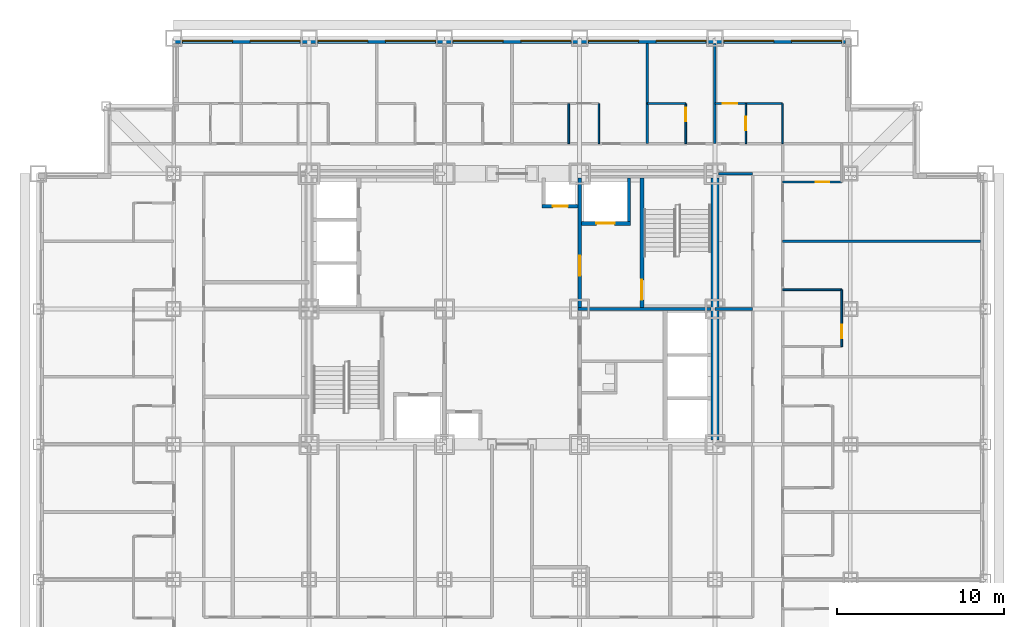
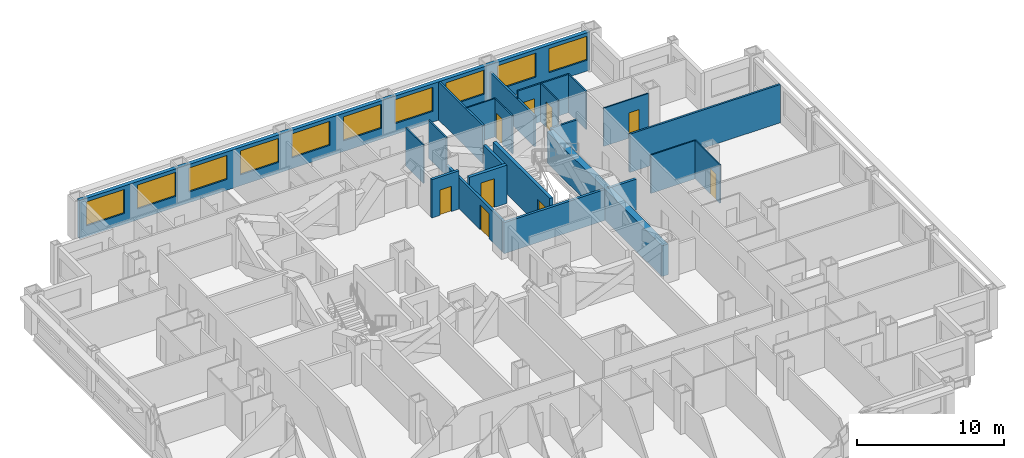
# One storey, part 10 of 13: 23 walls, 10 windows, 9 doors, 19 openings.
"""IFC4 building model written with IfcOpenShell, lengths in metres."""

import ifcopenshell
import ifcopenshell.guid

model = None  # the IFC model being written
_history = None  # IfcOwnerHistory: only IFC2X3 demands one
_inside = {}  # id of a spatial element -> (the spatial element, [elements in it])
_under = {}  # id of a project, library or spatial element -> (it, [spatial elements below it])
_declared = {}  # id of a project -> (the project, [libraries it declares])
_typed = {}  # id of a type object -> (the type object, [elements of that type])
_made_of = {}  # id of a material, layer set ... -> (it, [elements and type objects made of it])


def new_model(schema):
    """Start an empty IFC model of exactly this schema.

    Asked for "IFC4X3", IfcOpenShell would pick the latest addendum, in which some entities
    have other attributes; the version numbers below select the first issue.
    IFC2X3 requires an IfcOwnerHistory on every rooted entity: one is made here for all.
    """
    global model, _history
    if schema == "IFC4X3":
        model = ifcopenshell.file(schema_version=(4, 3, 0, 0))
    else:
        model = ifcopenshell.file(schema=schema)
    _inside.clear()
    _under.clear()
    _declared.clear()
    _typed.clear()
    _made_of.clear()
    _history = None
    if model.schema == "IFC2X3":
        org = make("IfcOrganization", Name="unknown")
        user = make(
            "IfcPersonAndOrganization",
            ThePerson=make("IfcPerson", FamilyName="unknown"),
            TheOrganization=org,
        )
        app = make(
            "IfcApplication",
            ApplicationDeveloper=org,
            Version="unknown",
            ApplicationFullName="unknown",
            ApplicationIdentifier="unknown",
        )
        _history = make(
            "IfcOwnerHistory",
            OwningUser=user,
            OwningApplication=app,
            ChangeAction="ADDED",
            CreationDate=0,
        )
    return model


def make(cls, **values):
    """One entity of the class cls with the attributes given. An attribute that is None is left unset."""
    return model.create_entity(
        cls, **{name: value for name, value in values.items() if value is not None}
    )


def rooted(cls, **values):
    """An entity with a GlobalId (a new one), such as an element, a storey or a relation."""
    return make(cls, GlobalId=ifcopenshell.guid.new(), OwnerHistory=_history, **values)


def si_unit(unit_type, name, prefix=None):
    """IfcSIUnit, for example si_unit("LENGTHUNIT", "METRE", prefix="MILLI")."""
    return make("IfcSIUnit", UnitType=unit_type, Prefix=prefix, Name=name)


def assignment(units):
    """IfcUnitAssignment: the units of a project."""
    return None if units is None else make("IfcUnitAssignment", Units=units)


def point(xyz):
    """IfcCartesianPoint."""
    return None if xyz is None else make("IfcCartesianPoint", Coordinates=xyz)


def direction(xyz):
    """IfcDirection."""
    return None if xyz is None else make("IfcDirection", DirectionRatios=xyz)


def frame(location, z_axis=None, x_axis=None):
    """IfcAxis2Placement3D, a coordinate frame: its origin and axes. An axis left out is left unset."""
    return make(
        "IfcAxis2Placement3D",
        Location=point(location),
        Axis=direction(z_axis),
        RefDirection=direction(x_axis),
    )


def frame_2d(location, x_axis=None):
    """IfcAxis2Placement2D, a coordinate frame in the plane: its origin and x axis."""
    return make(
        "IfcAxis2Placement2D", Location=point(location), RefDirection=direction(x_axis)
    )


def origin():
    """The frame at (0, 0, 0) with its axes left unset."""
    return frame((0.0, 0.0, 0.0))


def place(relative_to, where):
    """IfcLocalPlacement: puts the frame where relative to a parent placement (None: the world)."""
    return make(
        "IfcLocalPlacement", PlacementRelTo=relative_to, RelativePlacement=where
    )


def context(
    kind, dimensions, precision=None, world=None, true_north=None, identifier=None
):
    """IfcGeometricRepresentationContext, for example the 3D "Model" context."""
    return make(
        "IfcGeometricRepresentationContext",
        ContextIdentifier=identifier,
        ContextType=kind,
        CoordinateSpaceDimension=dimensions,
        Precision=precision,
        WorldCoordinateSystem=world,
        TrueNorth=true_north,
    )


def subcontext(parent, identifier, kind, view, scale=None):
    """IfcGeometricRepresentationSubContext, for example "Body" below "Model"."""
    return make(
        "IfcGeometricRepresentationSubContext",
        ContextIdentifier=identifier,
        ContextType=kind,
        ParentContext=parent,
        TargetScale=scale,
        TargetView=view,
    )


def project(units=None, contexts=None):
    """IfcProject with its units and contexts."""
    return rooted(
        "IfcProject",
        Name="project",
        RepresentationContexts=contexts,
        UnitsInContext=assignment(units),
    )


def spatial(cls, under=None, at=None, **own):
    """A site, building, storey or space (cls), placed at a placement, below another one or the project."""
    s = rooted(cls, ObjectPlacement=at, **own)
    if under is not None:
        _under.setdefault(under.id(), (under, []))[1].append(s)
    return s


def profile(cls, at=None, kind="AREA", **sizes):
    """A parametric profile (cls). Its sizes go by their IFC names, for example OverallWidth=200.0."""
    return make(cls, ProfileType=kind, Position=at, **sizes)


def rectangle(**sizes):
    """IfcRectangleProfileDef."""
    return profile("IfcRectangleProfileDef", **sizes)


def extrude(swept, where, along, depth):
    """IfcExtrudedAreaSolid: the profile swept, set in the frame where, extruded along a direction by depth."""
    return make(
        "IfcExtrudedAreaSolid",
        SweptArea=swept,
        Position=where,
        ExtrudedDirection=direction(along),
        Depth=depth,
    )


def shape(context_of_items, identifier, shape_type, items):
    """IfcShapeRepresentation: the items that make up one representation, for example the "Body"."""
    return make(
        "IfcShapeRepresentation",
        ContextOfItems=context_of_items,
        RepresentationIdentifier=identifier,
        RepresentationType=shape_type,
        Items=items,
    )


def material(Name=None, Category=None):
    """IfcMaterial."""
    return make("IfcMaterial", Name=Name, Category=Category)


def layer(
    of_material, thickness, ventilated=None, Name=None, Category=None, Priority=None
):
    """IfcMaterialLayer: one layer of a wall or slab, of a material (None: an air gap)."""
    return make(
        "IfcMaterialLayer",
        Material=of_material,
        LayerThickness=thickness,
        IsVentilated=ventilated,
        Name=Name,
        Category=Category,
        Priority=Priority,
    )


def layer_set(layers, Name=None):
    """IfcMaterialLayerSet."""
    return make("IfcMaterialLayerSet", MaterialLayers=layers, LayerSetName=Name)


def made_of(thing, what):
    """Note that an element or type object is made of a material, layer set ...; save() writes the relation."""
    if what is not None:
        _made_of.setdefault(what.id(), (what, []))[1].append(thing)
    return thing


def type_object(cls, material=None, **own):
    """A type object (cls), such as IfcWallType, which elements share."""
    return made_of(rooted(cls, **own), material)


def element(
    cls,
    number,
    at=None,
    inside=None,
    cuts=None,
    type_object=None,
    material=None,
    context=None,
    identifier="Body",
    shape_type=None,
    held_by="IfcProductDefinitionShape",
    body=None,
    shapes=None,
    **own,
):
    """One element of the class cls, such as IfcWall. Its Tag is "e" and its number.

    at: its placement. inside: the storey or other place that contains it. cuts: it is an
    opening in that element (IfcRelVoidsElement). A single representation is given by context,
    identifier, shape_type and body (its items); several are given by shapes. held_by: the class
    of the entity that holds the representations. save() writes the other relations.
    """
    e = rooted(cls, Tag="e%d" % number, ObjectPlacement=at, **own)
    if body is not None:
        shapes = [shape(context, identifier, shape_type, body)]
    if shapes is not None:
        e.Representation = make(held_by, Representations=shapes)
    if inside is not None:
        _inside.setdefault(inside.id(), (inside, []))[1].append(e)
    if cuts is not None:
        rooted(
            "IfcRelVoidsElement", RelatingBuildingElement=cuts, RelatedOpeningElement=e
        )
    if type_object is not None:
        _typed.setdefault(type_object.id(), (type_object, []))[1].append(e)
    return made_of(e, material)


def fill(opening, filler):
    """IfcRelFillsElement: the door or window that sits in an opening."""
    return rooted(
        "IfcRelFillsElement",
        RelatingOpeningElement=opening,
        RelatedBuildingElement=filler,
    )


def aggregate(whole, parts):
    """IfcRelAggregates: a whole, such as a stair, and the parts it consists of."""
    return rooted("IfcRelAggregates", RelatingObject=whole, RelatedObjects=parts)


def save(model, path):
    """Write the relations noted so far, then the file.

    IfcRelAggregates (storeys below a building ...), IfcRelContainedInSpatialStructure (elements
    in a storey), IfcRelDefinesByType, IfcRelAssociatesMaterial and IfcRelDeclares: one each for
    every whole, place, type object, material and project.
    """
    for whole, parts in _under.values():
        aggregate(whole, parts)
    for where, things in _inside.values():
        rooted(
            "IfcRelContainedInSpatialStructure",
            RelatedElements=things,
            RelatingStructure=where,
        )
    for kind, things in _typed.values():
        rooted("IfcRelDefinesByType", RelatedObjects=things, RelatingType=kind)
    for what, things in _made_of.values():
        rooted("IfcRelAssociatesMaterial", RelatedObjects=things, RelatingMaterial=what)
    for by, libraries in _declared.values():
        rooted("IfcRelDeclares", RelatingContext=by, RelatedDefinitions=libraries)
    model.write(path)


model = new_model("IFC4")

# Units and contexts
model_context = context("Model", 3, precision=1e-05, world=origin(), true_north=direction((0.0, 1.0)))
body_context = subcontext(model_context, "Body", "Model", "MODEL_VIEW")
ifc_project = project(units=[si_unit("LENGTHUNIT", "METRE"), si_unit("AREAUNIT", "SQUARE_METRE"), si_unit("VOLUMEUNIT", "CUBIC_METRE"), si_unit("PLANEANGLEUNIT", "RADIAN"), si_unit("MASSUNIT", "GRAM", prefix="KILO")], contexts=[model_context])

# Site, building, storey
site_placement = place(None, origin())
site = spatial("IfcSite", under=ifc_project, at=site_placement, CompositionType="ELEMENT")
building_placement = place(site_placement, origin())
building = spatial("IfcBuilding", under=site, at=building_placement, Name="Kopane Lantern Tower", CompositionType="ELEMENT")
storey_placement = place(building_placement, frame((0.0, 0.0, 63.60009765625)))
storey = spatial("IfcBuildingStorey", under=building, at=storey_placement, Name="L15", CompositionType="ELEMENT", Elevation=63.60009765625)

# Wall, opening, door
ifc_material_1 = material(Name="Gypsum board on steel studs", Category="steel")
ifc_layer_1 = layer(ifc_material_1, 0.1201171875)
ifc_layer_set_1 = layer_set([ifc_layer_1], Name="APARTMENT INTERNAL WALL 120")
wall_type_1 = type_object("IfcWallType", Name="APARTMENT INTERNAL WALL 120", PredefinedType="PARTITIONING", material=ifc_layer_set_1)
wall_1_placement = place(storey_placement, frame((40.5, 44.699951171875, 0.0), z_axis=(0.0, 0.0, 1.0), x_axis=(1.0, 0.0, 0.0)))
wall_1 = element("IfcWall", 1, at=wall_1_placement, inside=storey, type_object=wall_type_1, Name="Apartment Internal Wall 120 L15", PredefinedType="PARTITIONING", context=body_context, shape_type="SweptSolid", body=[
    extrude(rectangle(XDim=4.050048828125, YDim=0.1201171875, at=frame_2d((2.02490234375, 0.0))), origin(), (0.0, 0.0, 1.0), 3.18994140625),
])
opening_1_placement = place(wall_1_placement, frame((0.47509765625, 0.0, 0.0)))
opening_1 = element("IfcOpeningElement", 2, at=opening_1_placement, cuts=wall_1, Name="Opening L15-079", PredefinedType="OPENING", context=body_context, shape_type="SweptSolid", body=[
    extrude(rectangle(XDim=0.85009765625, YDim=2.10009765625, at=frame_2d((0.425048828125, 1.050048828125))), frame((0.0, 0.070068359375, 0.0), z_axis=(0.0, -1.0, 0.0), x_axis=(1.0, 0.0, 0.0)), (0.0, 0.0, 1.0), 0.14013671875),
])
ifc_material_2 = material(Name="Timber door set", Category="wood")
door_type_1 = type_object("IfcDoorType", Name="DOOR D4 850x2100", OperationType="SINGLE_SWING_LEFT", PredefinedType="DOOR", material=ifc_material_2)
door_1_placement = place(opening_1_placement, origin())
door_1 = element("IfcDoor", 3, at=door_1_placement, inside=storey, type_object=door_type_1, Name="Door L15-079", OperationType="SINGLE_SWING_LEFT", OverallHeight=2.10009765625, OverallWidth=0.85009765625, PredefinedType="DOOR", context=body_context, shape_type="SweptSolid", body=[
    extrude(rectangle(XDim=0.85009765625, YDim=2.10009765625, at=frame_2d((0.425048828125, 1.050048828125))), frame((0.0, 0.02490234375, 0.0), z_axis=(0.0, -1.0, 0.0), x_axis=(1.0, 0.0, 0.0)), (0.0, 0.0, 1.0), 0.050048828125),
])
fill(opening_1, door_1)

# Walls
ifc_material_3 = material(Name="Moisture-resistant board on steel studs", Category="steel")
ifc_layer_2 = layer(ifc_material_3, 0.10009765625)
ifc_layer_set_2 = layer_set([ifc_layer_2], Name="BATHROOM WALL 100")
wall_type_2 = type_object("IfcWallType", Name="BATHROOM WALL 100", PredefinedType="PARTITIONING", material=ifc_layer_set_2)
for number, where, z_axis, x_axis, name in (
    (4, (31.75, 42.300048828125, 0.0), (0.0, 0.0, 1.0), (0.0, 1.0, 0.0), "Bathroom Wall 100 L15"),
    (5, (33.550048828125, 42.300048828125, 0.0), (0.0, 0.0, 1.0), (0.0, 1.0, 0.0), "Bathroom Wall 100 L15"),
):
    element("IfcWall", number, at=place(storey_placement, frame(where, z_axis=z_axis, x_axis=x_axis)), inside=storey, type_object=wall_type_2, Name=name, PredefinedType="PARTITIONING", context=body_context, shape_type="SweptSolid", body=[
        extrude(rectangle(XDim=2.39990234375, YDim=0.10009765625, at=frame_2d((1.199951171875, 0.0))), origin(), (0.0, 0.0, 1.0), 3.18994140625),
    ])
wall_2_placement = place(storey_placement, frame((36.449951171875, 44.699951171875, 0.0), z_axis=(0.0, 0.0, 1.0), x_axis=(1.0, 0.0, 0.0)))
element("IfcWall", 6, at=wall_2_placement, inside=storey, type_object=wall_type_2, Name="Bathroom Wall 100 L15", PredefinedType="PARTITIONING", context=body_context, shape_type="SweptSolid", body=[
    extrude(rectangle(XDim=2.300048828125, YDim=0.10009765625, at=frame_2d((1.14990234375, 0.0))), origin(), (0.0, 0.0, 1.0), 3.18994140625),
])

# Wall, opening, door
wall_3_placement = place(storey_placement, frame((38.75, 42.300048828125, 0.0), z_axis=(0.0, 0.0, 1.0), x_axis=(0.0, 1.0, 0.0)))
wall_3 = element("IfcWall", 7, at=wall_3_placement, inside=storey, type_object=wall_type_2, Name="Bathroom Wall 100 L15", PredefinedType="PARTITIONING", context=body_context, shape_type="SweptSolid", body=[
    extrude(rectangle(XDim=2.39990234375, YDim=0.10009765625, at=frame_2d((1.199951171875, 0.0))), origin(), (0.0, 0.0, 1.0), 3.18994140625),
])
opening_2_placement = place(wall_3_placement, frame((1.35009765625, 0.0, 0.0)))
opening_2 = element("IfcOpeningElement", 8, at=opening_2_placement, cuts=wall_3, Name="Opening L15-039", PredefinedType="OPENING", context=body_context, shape_type="SweptSolid", body=[
    extrude(rectangle(XDim=0.800048828125, YDim=2.10009765625, at=frame_2d((0.39990234375, 1.050048828125))), frame((0.0, 0.06005859375, 0.0), z_axis=(0.0, -1.0, 0.0), x_axis=(1.0, 0.0, 0.0)), (0.0, 0.0, 1.0), 0.1201171875),
])
ifc_material_4 = material(Name="Timber door set", Category="wood")
door_type_2 = type_object("IfcDoorType", Name="DOOR D2 800x2100", OperationType="SINGLE_SWING_LEFT", PredefinedType="DOOR", material=ifc_material_4)
door_2_placement = place(opening_2_placement, origin())
door_2 = element("IfcDoor", 9, at=door_2_placement, inside=storey, type_object=door_type_2, Name="Door L15-039", OperationType="SINGLE_SWING_RIGHT", OverallHeight=2.10009765625, OverallWidth=0.800048828125, PredefinedType="DOOR", context=body_context, shape_type="SweptSolid", body=[
    extrude(rectangle(XDim=0.800048828125, YDim=2.10009765625, at=frame_2d((0.39990234375, 1.050048828125))), frame((0.0, 0.02490234375, 0.0), z_axis=(0.0, -1.0, 0.0), x_axis=(1.0, 0.0, 0.0)), (0.0, 0.0, 1.0), 0.050048828125),
])
fill(opening_2, door_2)

wall_4_placement = place(storey_placement, frame((48.090087890625, 30.14990234375, 0.0), z_axis=(0.0, 0.0, 1.0), x_axis=(0.0, 1.0, 0.0)))
wall_4 = element("IfcWall", 10, at=wall_4_placement, inside=storey, type_object=wall_type_2, Name="Bathroom Wall 100 L15", PredefinedType="PARTITIONING", context=body_context, shape_type="SweptSolid", body=[
    extrude(rectangle(XDim=3.400146484375, YDim=0.10009765625, at=frame_2d((1.7001953125, 0.0))), origin(), (0.0, 0.0, 1.0), 3.18994140625),
])
opening_3_placement = place(wall_4_placement, frame((0.5, 0.0, 0.0)))
opening_3 = element("IfcOpeningElement", 11, at=opening_3_placement, cuts=wall_4, Name="Opening L15-062", PredefinedType="OPENING", context=body_context, shape_type="SweptSolid", body=[
    extrude(rectangle(XDim=0.800048828125, YDim=2.10009765625, at=frame_2d((0.39990234375, 1.050048828125))), frame((0.0, 0.06005859375, 0.0), z_axis=(0.0, -1.0, 0.0), x_axis=(1.0, 0.0, 0.0)), (0.0, 0.0, 1.0), 0.1201171875),
])
door_3_placement = place(opening_3_placement, origin())
door_3 = element("IfcDoor", 12, at=door_3_placement, inside=storey, type_object=door_type_2, Name="Door L15-062", OperationType="SINGLE_SWING_LEFT", OverallHeight=2.10009765625, OverallWidth=0.800048828125, PredefinedType="DOOR", context=body_context, shape_type="SweptSolid", body=[
    extrude(rectangle(XDim=0.800048828125, YDim=2.10009765625, at=frame_2d((0.39990234375, 1.050048828125))), frame((0.0, 0.02490234375, 0.0), z_axis=(0.0, -1.0, 0.0), x_axis=(1.0, 0.0, 0.0)), (0.0, 0.0, 1.0), 0.050048828125),
])
fill(opening_3, door_3)

# Wall
wall_5_placement = place(storey_placement, frame((44.550048828125, 33.550048828125, 0.0), z_axis=(0.0, 0.0, 1.0), x_axis=(1.0, 0.0, 0.0)))
element("IfcWall", 13, at=wall_5_placement, inside=storey, type_object=wall_type_2, Name="Bathroom Wall 100 L15", PredefinedType="PARTITIONING", context=body_context, shape_type="SweptSolid", body=[
    extrude(rectangle(XDim=3.5400390625, YDim=0.10009765625, at=frame_2d((1.77001953125, 0.0))), origin(), (0.0, 0.0, 1.0), 3.18994140625),
])

# Wall, opening, door
wall_6_placement = place(storey_placement, frame((44.550048828125, 40.0, 0.0), z_axis=(0.0, 0.0, 1.0), x_axis=(1.0, 0.0, 0.0)))
wall_6 = element("IfcWall", 14, at=wall_6_placement, inside=storey, type_object=wall_type_2, Name="Bathroom Wall 100 L15", PredefinedType="PARTITIONING", context=body_context, shape_type="SweptSolid", body=[
    extrude(rectangle(XDim=3.5400390625, YDim=0.10009765625, at=frame_2d((1.77001953125, 0.0))), origin(), (0.0, 0.0, 1.0), 3.18994140625),
])
opening_4_placement = place(wall_6_placement, frame((1.989990234375, 0.0, 0.0)))
opening_4 = element("IfcOpeningElement", 15, at=opening_4_placement, cuts=wall_6, Name="Opening L15-065", PredefinedType="OPENING", context=body_context, shape_type="SweptSolid", body=[
    extrude(rectangle(XDim=0.800048828125, YDim=2.10009765625, at=frame_2d((0.39990234375, 1.050048828125))), frame((0.0, 0.06005859375, 0.0), z_axis=(0.0, -1.0, 0.0), x_axis=(1.0, 0.0, 0.0)), (0.0, 0.0, 1.0), 0.1201171875),
])
door_4_placement = place(opening_4_placement, origin())
door_4 = element("IfcDoor", 16, at=door_4_placement, inside=storey, type_object=door_type_2, Name="Door L15-065", OperationType="SINGLE_SWING_RIGHT", OverallHeight=2.10009765625, OverallWidth=0.800048828125, PredefinedType="DOOR", context=body_context, shape_type="SweptSolid", body=[
    extrude(rectangle(XDim=0.800048828125, YDim=2.10009765625, at=frame_2d((0.39990234375, 1.050048828125))), frame((0.0, 0.02490234375, 0.0), z_axis=(0.0, -1.0, 0.0), x_axis=(1.0, 0.0, 0.0)), (0.0, 0.0, 1.0), 0.050048828125),
])
fill(opening_4, door_4)

wall_7_placement = place(storey_placement, frame((42.35009765625, 42.300048828125, 0.0), z_axis=(0.0, 0.0, 1.0), x_axis=(0.0, 1.0, 0.0)))
wall_7 = element("IfcWall", 17, at=wall_7_placement, inside=storey, type_object=wall_type_2, Name="Bathroom Wall 100 L15", PredefinedType="PARTITIONING", context=body_context, shape_type="SweptSolid", body=[
    extrude(rectangle(XDim=2.39990234375, YDim=0.10009765625, at=frame_2d((1.199951171875, 0.0))), origin(), (0.0, 0.0, 1.0), 3.18994140625),
])
opening_5_placement = place(wall_7_placement, frame((0.800048828125, 0.0, 0.0)))
opening_5 = element("IfcOpeningElement", 18, at=opening_5_placement, cuts=wall_7, Name="Opening L15-077", PredefinedType="OPENING", context=body_context, shape_type="SweptSolid", body=[
    extrude(rectangle(XDim=0.800048828125, YDim=2.10009765625, at=frame_2d((0.39990234375, 1.050048828125))), frame((0.0, 0.06005859375, 0.0), z_axis=(0.0, -1.0, 0.0), x_axis=(1.0, 0.0, 0.0)), (0.0, 0.0, 1.0), 0.1201171875),
])
door_5_placement = place(opening_5_placement, origin())
door_5 = element("IfcDoor", 19, at=door_5_placement, inside=storey, type_object=door_type_2, Name="Door L15-077", OperationType="SINGLE_SWING_RIGHT", OverallHeight=2.10009765625, OverallWidth=0.800048828125, PredefinedType="DOOR", context=body_context, shape_type="SweptSolid", body=[
    extrude(rectangle(XDim=0.800048828125, YDim=2.10009765625, at=frame_2d((0.39990234375, 1.050048828125))), frame((0.0, 0.02490234375, 0.0), z_axis=(0.0, -1.0, 0.0), x_axis=(1.0, 0.0, 0.0)), (0.0, 0.0, 1.0), 0.050048828125),
])
fill(opening_5, door_5)

# Walls
wall_8_placement = place(storey_placement, frame((44.550048828125, 42.300048828125, 0.0), z_axis=(0.0, 0.0, 1.0), x_axis=(0.0, 1.0, 0.0)))
element("IfcWall", 20, at=wall_8_placement, inside=storey, type_object=wall_type_2, Name="Bathroom Wall 100 L15", PredefinedType="PARTITIONING", context=body_context, shape_type="SweptSolid", body=[
    extrude(rectangle(XDim=2.39990234375, YDim=0.10009765625, at=frame_2d((1.199951171875, 0.0))), origin(), (0.0, 0.0, 1.0), 3.18994140625),
])
ifc_material_5 = material(Name="Gypsum shaft wall EI 120", Category="gypsum")
ifc_layer_3 = layer(ifc_material_5, 0.5)
ifc_layer_set_3 = layer_set([ifc_layer_3], Name="CORE PERIMETER WALL 500 EI 120")
wall_type_3 = type_object("IfcWallType", Name="CORE PERIMETER WALL 500 EI 120", PredefinedType="SOLIDWALL", material=ifc_layer_set_3)
wall_9_placement = place(storey_placement, frame((40.5, 24.550048828125, 0.0), z_axis=(0.0, 0.0, 1.0), x_axis=(0.0, 1.0, 0.0)))
element("IfcWall", 21, at=wall_9_placement, inside=storey, type_object=wall_type_3, Name="Core shaft wall L15 PE", PredefinedType="SOLIDWALL", context=body_context, shape_type="SweptSolid", body=[
    extrude(rectangle(XDim=15.699951171875, YDim=0.5, at=frame_2d((7.85009765625, 0.0))), origin(), (0.0, 0.0, 1.0), 2.57763671875),
])

# Wall, opening, door
ifc_material_6 = material(Name="Gypsum shaft wall EI 120", Category="gypsum")
ifc_layer_4 = layer(ifc_material_6, 0.25)
ifc_layer_set_4 = layer_set([ifc_layer_4], Name="CORE SHAFT WALL 250 EI 120")
wall_type_4 = type_object("IfcWallType", Name="CORE SHAFT WALL 250 EI 120", PredefinedType="SOLIDWALL", material=ifc_layer_set_4)
wall_10_placement = place(storey_placement, frame((36.125, 32.5, 0.0), z_axis=(0.0, 0.0, 1.0), x_axis=(0.0, 1.0, 0.0)))
wall_10 = element("IfcWall", 22, at=wall_10_placement, inside=storey, type_object=wall_type_4, Name="Core shaft wall L15 XST2", PredefinedType="SOLIDWALL", context=body_context, shape_type="SweptSolid", body=[
    extrude(rectangle(XDim=7.75, YDim=0.25, at=frame_2d((3.875, 0.0))), origin(), (0.0, 0.0, 1.0), 3.18994140625),
])
opening_6_placement = place(wall_10_placement, frame((0.449951171875, 0.0, 0.0)))
opening_6 = element("IfcOpeningElement", 23, at=opening_6_placement, cuts=wall_10, Name="Opening 15.SD2", PredefinedType="OPENING", context=body_context, shape_type="SweptSolid", body=[
    extrude(rectangle(XDim=1.199951171875, YDim=2.10009765625, at=frame_2d((0.60009765625, 1.050048828125))), frame((0.0, 0.135009765625, 0.0), z_axis=(0.0, -1.0, 0.0), x_axis=(1.0, 0.0, 0.0)), (0.0, 0.0, 1.0), 0.27001953125),
])
ifc_material_7 = material(Name="Steel door set", Category="steel")
door_type_3 = type_object("IfcDoorType", Name="STAIR DOOR 1200x2100 FD60S", OperationType="SINGLE_SWING_LEFT", PredefinedType="DOOR", material=ifc_material_7)
door_6_placement = place(opening_6_placement, origin())
door_6 = element("IfcDoor", 24, at=door_6_placement, inside=storey, type_object=door_type_3, Name="Stair door ST2 L15", OperationType="SINGLE_SWING_RIGHT", OverallHeight=2.10009765625, OverallWidth=1.199951171875, PredefinedType="DOOR", context=body_context, shape_type="SweptSolid", body=[
    extrude(rectangle(XDim=1.199951171875, YDim=2.10009765625, at=frame_2d((0.60009765625, 1.050048828125))), frame((0.0, 0.02490234375, 0.0), z_axis=(0.0, -1.0, 0.0), x_axis=(1.0, 0.0, 0.0)), (0.0, 0.0, 1.0), 0.050048828125),
])
fill(opening_6, door_6)

wall_11_placement = place(storey_placement, frame((32.5, 37.52490234375, 0.0), z_axis=(0.0, 0.0, 1.0), x_axis=(1.0, 0.0, 0.0)))
wall_11 = element("IfcWall", 25, at=wall_11_placement, inside=storey, type_object=wall_type_4, Name="Core shaft wall L15 YLF2", PredefinedType="SOLIDWALL", context=body_context, shape_type="SweptSolid", body=[
    extrude(rectangle(XDim=2.949951171875, YDim=0.25, at=frame_2d((1.47509765625, 0.0))), origin(), (0.0, 0.0, 1.0), 3.18994140625),
])
opening_7_placement = place(wall_11_placement, frame((0.89990234375, 0.0, 0.0)))
opening_7 = element("IfcOpeningElement", 26, at=opening_7_placement, cuts=wall_11, Name="Opening 15.LD-LF2", PredefinedType="OPENING", context=body_context, shape_type="SweptSolid", body=[
    extrude(rectangle(XDim=1.10009765625, YDim=2.39990234375, at=frame_2d((0.550048828125, 1.199951171875))), frame((0.0, 0.135009765625, 0.0), z_axis=(0.0, -1.0, 0.0), x_axis=(1.0, 0.0, 0.0)), (0.0, 0.0, 1.0), 0.27001953125),
])
ifc_material_8 = material(Name="Steel door set", Category="steel")
door_type_4 = type_object("IfcDoorType", Name="LIFT LANDING DOOR 1100x2400 FD60", OperationType="DOUBLE_DOOR_SLIDING", PredefinedType="DOOR", material=ifc_material_8)
door_7_placement = place(opening_7_placement, origin())
door_7 = element("IfcDoor", 27, at=door_7_placement, inside=storey, type_object=door_type_4, Name="Landing door LF2 L15", OperationType="DOUBLE_DOOR_SLIDING", OverallHeight=2.39990234375, OverallWidth=1.10009765625, PredefinedType="DOOR", context=body_context, shape_type="SweptSolid", body=[
    extrude(rectangle(XDim=1.10009765625, YDim=2.39990234375, at=frame_2d((0.550048828125, 1.199951171875))), frame((0.0, 0.02490234375, 0.0), z_axis=(0.0, -1.0, 0.0), x_axis=(1.0, 0.0, 0.0)), (0.0, 0.0, 1.0), 0.050048828125),
])
fill(opening_7, door_7)

# Walls
ifc_material_9 = material(Name="Gypsum board on steel studs", Category="steel")
ifc_layer_5 = layer(ifc_material_9, 0.14990234375)
ifc_layer_set_5 = layer_set([ifc_layer_5], Name="CORRIDOR WALL 150 EI 60")
wall_type_5 = type_object("IfcWallType", Name="CORRIDOR WALL 150 EI 60", PredefinedType="PARTITIONING", material=ifc_layer_set_5)
wall_12_placement = place(storey_placement, frame((42.75, 40.5, 0.0), z_axis=(0.0, 0.0, 1.0), x_axis=(-1.0, 0.0, 0.0)))
element("IfcWall", 28, at=wall_12_placement, inside=storey, type_object=wall_type_5, Name="Corridor Wall 150 Ei 60 L15", PredefinedType="PARTITIONING", context=body_context, shape_type="SweptSolid", body=[
    extrude(rectangle(XDim=2.050048828125, YDim=0.14990234375, at=frame_2d((1.02490234375, 0.0))), origin(), (0.0, 0.0, 1.0), 2.57763671875),
])
ifc_material_10 = material(Name="Gypsum board on steel studs", Category="steel")
ifc_layer_6 = layer(ifc_material_10, 0.14990234375)
ifc_layer_set_6 = layer_set([ifc_layer_6], Name="DEMISING WALL 150 EI 60")
wall_type_6 = type_object("IfcWallType", Name="DEMISING WALL 150 EI 60", PredefinedType="PARTITIONING", material=ifc_layer_set_6)
wall_13_placement = place(storey_placement, frame((36.449951171875, 42.300048828125, 0.0), z_axis=(0.0, 0.0, 1.0), x_axis=(0.0, 1.0, 0.0)))
element("IfcWall", 29, at=wall_13_placement, inside=storey, type_object=wall_type_6, Name="Demising Wall 150 Ei 60 L15", PredefinedType="PARTITIONING", context=body_context, shape_type="SweptSolid", body=[
    extrude(rectangle(XDim=6.0, YDim=0.14990234375, at=frame_2d((3.0, 0.0))), origin(), (0.0, 0.0, 1.0), 3.18994140625),
])
wall_14_placement = place(storey_placement, frame((44.550048828125, 36.449951171875, 0.0), z_axis=(0.0, 0.0, 1.0), x_axis=(1.0, 0.0, 0.0)))
element("IfcWall", 30, at=wall_14_placement, inside=storey, type_object=wall_type_6, Name="Demising Wall 150 Ei 60 L15", PredefinedType="PARTITIONING", context=body_context, shape_type="SweptSolid", body=[
    extrude(rectangle(XDim=11.849853515625, YDim=0.14990234375, at=frame_2d((5.9248046875, 0.0))), origin(), (0.0, 0.0, 1.0), 3.18994140625),
])
wall_15_placement = place(storey_placement, frame((40.5, 42.300048828125, 0.0), z_axis=(0.0, 0.0, 1.0), x_axis=(0.0, 1.0, 0.0)))
element("IfcWall", 31, at=wall_15_placement, inside=storey, type_object=wall_type_6, Name="Demising Wall 150 Ei 60 L15", PredefinedType="PARTITIONING", context=body_context, shape_type="SweptSolid", body=[
    extrude(rectangle(XDim=6.0, YDim=0.14990234375, at=frame_2d((3.0, 0.0))), origin(), (0.0, 0.0, 1.0), 2.57763671875),
])

# Wall, openings, windows
ifc_material_11 = material(Name="Terracotta rainscreen on light steel framing", Category="masonry")
ifc_layer_7 = layer(ifc_material_11, 0.300048828125)
ifc_layer_set_7 = layer_set([ifc_layer_7], Name="EXTERNAL WALL EW1 300 TERRACOTTA")
wall_type_7 = type_object("IfcWallType", Name="EXTERNAL WALL EW1 300 TERRACOTTA", PredefinedType="SOLIDWALL", material=ifc_layer_set_7)
wall_16_placement = place(storey_placement, frame((48.300048828125, 48.449951171875, 0.0), z_axis=(0.0, 0.0, 1.0), x_axis=(-1.0, 0.0, 0.0)))
wall_16 = element("IfcWall", 32, at=wall_16_placement, inside=storey, type_object=wall_type_7, Name="External wall N L15", PredefinedType="SOLIDWALL", context=body_context, shape_type="SweptSolid", body=[
    extrude(rectangle(XDim=40.199951171875, YDim=0.300048828125, at=frame_2d((20.10009765625, 0.0))), origin(), (0.0, 0.0, 1.0), 3.18994140625),
])
opening_8_placement = place(wall_16_placement, frame((0.22509765625, 0.0, 0.89990234375)))
opening_8 = element("IfcOpeningElement", 33, at=opening_8_placement, cuts=wall_16, Name="Opening WR300200", PredefinedType="OPENING", context=body_context, shape_type="SweptSolid", body=[
    extrude(rectangle(XDim=3.0, YDim=2.0, at=frame_2d((1.5, 1.0))), frame((0.0, 0.159912109375, 0.0), z_axis=(0.0, -1.0, 0.0), x_axis=(1.0, 0.0, 0.0)), (0.0, 0.0, 1.0), 0.320068359375),
])
opening_9_placement = place(wall_16_placement, frame((4.27490234375, 0.0, 0.89990234375)))
opening_9 = element("IfcOpeningElement", 34, at=opening_9_placement, cuts=wall_16, Name="Opening WR300200", PredefinedType="OPENING", context=body_context, shape_type="SweptSolid", body=[
    extrude(rectangle(XDim=3.0, YDim=2.0, at=frame_2d((1.5, 1.0))), frame((0.0, 0.159912109375, 0.0), z_axis=(0.0, -1.0, 0.0), x_axis=(1.0, 0.0, 0.0)), (0.0, 0.0, 1.0), 0.320068359375),
])
opening_10_placement = place(wall_16_placement, frame((8.324951171875, 0.0, 0.89990234375)))
opening_10 = element("IfcOpeningElement", 35, at=opening_10_placement, cuts=wall_16, Name="Opening WR300200", PredefinedType="OPENING", context=body_context, shape_type="SweptSolid", body=[
    extrude(rectangle(XDim=3.0, YDim=2.0, at=frame_2d((1.5, 1.0))), frame((0.0, 0.159912109375, 0.0), z_axis=(0.0, -1.0, 0.0), x_axis=(1.0, 0.0, 0.0)), (0.0, 0.0, 1.0), 0.320068359375),
])
opening_11_placement = place(wall_16_placement, frame((12.375, 0.0, 0.89990234375)))
opening_11 = element("IfcOpeningElement", 36, at=opening_11_placement, cuts=wall_16, Name="Opening WR300200", PredefinedType="OPENING", context=body_context, shape_type="SweptSolid", body=[
    extrude(rectangle(XDim=3.0, YDim=2.0, at=frame_2d((1.5, 1.0))), frame((0.0, 0.159912109375, 0.0), z_axis=(0.0, -1.0, 0.0), x_axis=(1.0, 0.0, 0.0)), (0.0, 0.0, 1.0), 0.320068359375),
])
opening_12_placement = place(wall_16_placement, frame((16.425048828125, 0.0, 0.89990234375)))
opening_12 = element("IfcOpeningElement", 37, at=opening_12_placement, cuts=wall_16, Name="Opening WR300200", PredefinedType="OPENING", context=body_context, shape_type="SweptSolid", body=[
    extrude(rectangle(XDim=3.0, YDim=2.0, at=frame_2d((1.5, 1.0))), frame((0.0, 0.159912109375, 0.0), z_axis=(0.0, -1.0, 0.0), x_axis=(1.0, 0.0, 0.0)), (0.0, 0.0, 1.0), 0.320068359375),
])
opening_13_placement = place(wall_16_placement, frame((20.47509765625, 0.0, 0.89990234375)))
opening_13 = element("IfcOpeningElement", 38, at=opening_13_placement, cuts=wall_16, Name="Opening WR300200", PredefinedType="OPENING", context=body_context, shape_type="SweptSolid", body=[
    extrude(rectangle(XDim=3.0, YDim=2.0, at=frame_2d((1.5, 1.0))), frame((0.0, 0.159912109375, 0.0), z_axis=(0.0, -1.0, 0.0), x_axis=(1.0, 0.0, 0.0)), (0.0, 0.0, 1.0), 0.320068359375),
])
opening_14_placement = place(wall_16_placement, frame((24.52490234375, 0.0, 0.89990234375)))
opening_14 = element("IfcOpeningElement", 39, at=opening_14_placement, cuts=wall_16, Name="Opening WR300200", PredefinedType="OPENING", context=body_context, shape_type="SweptSolid", body=[
    extrude(rectangle(XDim=3.0, YDim=2.0, at=frame_2d((1.5, 1.0))), frame((0.0, 0.159912109375, 0.0), z_axis=(0.0, -1.0, 0.0), x_axis=(1.0, 0.0, 0.0)), (0.0, 0.0, 1.0), 0.320068359375),
])
opening_15_placement = place(wall_16_placement, frame((28.574951171875, 0.0, 0.89990234375)))
opening_15 = element("IfcOpeningElement", 40, at=opening_15_placement, cuts=wall_16, Name="Opening WR300200", PredefinedType="OPENING", context=body_context, shape_type="SweptSolid", body=[
    extrude(rectangle(XDim=3.0, YDim=2.0, at=frame_2d((1.5, 1.0))), frame((0.0, 0.159912109375, 0.0), z_axis=(0.0, -1.0, 0.0), x_axis=(1.0, 0.0, 0.0)), (0.0, 0.0, 1.0), 0.320068359375),
])
opening_16_placement = place(wall_16_placement, frame((32.625, 0.0, 0.89990234375)))
opening_16 = element("IfcOpeningElement", 41, at=opening_16_placement, cuts=wall_16, Name="Opening WR300200", PredefinedType="OPENING", context=body_context, shape_type="SweptSolid", body=[
    extrude(rectangle(XDim=3.0, YDim=2.0, at=frame_2d((1.5, 1.0))), frame((0.0, 0.159912109375, 0.0), z_axis=(0.0, -1.0, 0.0), x_axis=(1.0, 0.0, 0.0)), (0.0, 0.0, 1.0), 0.320068359375),
])
opening_17_placement = place(wall_16_placement, frame((36.675048828125, 0.0, 0.89990234375)))
opening_17 = element("IfcOpeningElement", 42, at=opening_17_placement, cuts=wall_16, Name="Opening WR300200", PredefinedType="OPENING", context=body_context, shape_type="SweptSolid", body=[
    extrude(rectangle(XDim=3.0, YDim=2.0, at=frame_2d((1.5, 1.0))), frame((0.0, 0.159912109375, 0.0), z_axis=(0.0, -1.0, 0.0), x_axis=(1.0, 0.0, 0.0)), (0.0, 0.0, 1.0), 0.320068359375),
])
ifc_material_12 = material(Name="Aluminium and clear glass", Category="aluminium")
window_type = type_object("IfcWindowType", Name="RIBBON WINDOW WR300200 3000x2000", PartitioningType="SINGLE_PANEL", PredefinedType="WINDOW", material=ifc_material_12)
window_1_placement = place(opening_8_placement, origin())
window_1 = element("IfcWindow", 43, at=window_1_placement, inside=storey, type_object=window_type, Name="Window N L15", OverallHeight=2.0, OverallWidth=3.0, PartitioningType="SINGLE_PANEL", PredefinedType="WINDOW", context=body_context, shape_type="SweptSolid", body=[
    extrude(rectangle(XDim=3.0, YDim=2.0, at=frame_2d((1.5, 1.0))), frame((0.0, 0.030029296875, 0.0), z_axis=(0.0, -1.0, 0.0), x_axis=(1.0, 0.0, 0.0)), (0.0, 0.0, 1.0), 0.06005859375),
])
fill(opening_8, window_1)
window_2_placement = place(opening_9_placement, origin())
window_2 = element("IfcWindow", 44, at=window_2_placement, inside=storey, type_object=window_type, Name="Window N L15", OverallHeight=2.0, OverallWidth=3.0, PartitioningType="SINGLE_PANEL", PredefinedType="WINDOW", context=body_context, shape_type="SweptSolid", body=[
    extrude(rectangle(XDim=3.0, YDim=2.0, at=frame_2d((1.5, 1.0))), frame((0.0, 0.030029296875, 0.0), z_axis=(0.0, -1.0, 0.0), x_axis=(1.0, 0.0, 0.0)), (0.0, 0.0, 1.0), 0.06005859375),
])
fill(opening_9, window_2)
window_3_placement = place(opening_10_placement, origin())
window_3 = element("IfcWindow", 45, at=window_3_placement, inside=storey, type_object=window_type, Name="Window N L15", OverallHeight=2.0, OverallWidth=3.0, PartitioningType="SINGLE_PANEL", PredefinedType="WINDOW", context=body_context, shape_type="SweptSolid", body=[
    extrude(rectangle(XDim=3.0, YDim=2.0, at=frame_2d((1.5, 1.0))), frame((0.0, 0.030029296875, 0.0), z_axis=(0.0, -1.0, 0.0), x_axis=(1.0, 0.0, 0.0)), (0.0, 0.0, 1.0), 0.06005859375),
])
fill(opening_10, window_3)
window_4_placement = place(opening_11_placement, origin())
window_4 = element("IfcWindow", 46, at=window_4_placement, inside=storey, type_object=window_type, Name="Window N L15", OverallHeight=2.0, OverallWidth=3.0, PartitioningType="SINGLE_PANEL", PredefinedType="WINDOW", context=body_context, shape_type="SweptSolid", body=[
    extrude(rectangle(XDim=3.0, YDim=2.0, at=frame_2d((1.5, 1.0))), frame((0.0, 0.030029296875, 0.0), z_axis=(0.0, -1.0, 0.0), x_axis=(1.0, 0.0, 0.0)), (0.0, 0.0, 1.0), 0.06005859375),
])
fill(opening_11, window_4)
window_5_placement = place(opening_12_placement, origin())
window_5 = element("IfcWindow", 47, at=window_5_placement, inside=storey, type_object=window_type, Name="Window N L15", OverallHeight=2.0, OverallWidth=3.0, PartitioningType="SINGLE_PANEL", PredefinedType="WINDOW", context=body_context, shape_type="SweptSolid", body=[
    extrude(rectangle(XDim=3.0, YDim=2.0, at=frame_2d((1.5, 1.0))), frame((0.0, 0.030029296875, 0.0), z_axis=(0.0, -1.0, 0.0), x_axis=(1.0, 0.0, 0.0)), (0.0, 0.0, 1.0), 0.06005859375),
])
fill(opening_12, window_5)
window_6_placement = place(opening_13_placement, origin())
window_6 = element("IfcWindow", 48, at=window_6_placement, inside=storey, type_object=window_type, Name="Window N L15", OverallHeight=2.0, OverallWidth=3.0, PartitioningType="SINGLE_PANEL", PredefinedType="WINDOW", context=body_context, shape_type="SweptSolid", body=[
    extrude(rectangle(XDim=3.0, YDim=2.0, at=frame_2d((1.5, 1.0))), frame((0.0, 0.030029296875, 0.0), z_axis=(0.0, -1.0, 0.0), x_axis=(1.0, 0.0, 0.0)), (0.0, 0.0, 1.0), 0.06005859375),
])
fill(opening_13, window_6)
window_7_placement = place(opening_14_placement, origin())
window_7 = element("IfcWindow", 49, at=window_7_placement, inside=storey, type_object=window_type, Name="Window N L15", OverallHeight=2.0, OverallWidth=3.0, PartitioningType="SINGLE_PANEL", PredefinedType="WINDOW", context=body_context, shape_type="SweptSolid", body=[
    extrude(rectangle(XDim=3.0, YDim=2.0, at=frame_2d((1.5, 1.0))), frame((0.0, 0.030029296875, 0.0), z_axis=(0.0, -1.0, 0.0), x_axis=(1.0, 0.0, 0.0)), (0.0, 0.0, 1.0), 0.06005859375),
])
fill(opening_14, window_7)
window_8_placement = place(opening_15_placement, origin())
window_8 = element("IfcWindow", 50, at=window_8_placement, inside=storey, type_object=window_type, Name="Window N L15", OverallHeight=2.0, OverallWidth=3.0, PartitioningType="SINGLE_PANEL", PredefinedType="WINDOW", context=body_context, shape_type="SweptSolid", body=[
    extrude(rectangle(XDim=3.0, YDim=2.0, at=frame_2d((1.5, 1.0))), frame((0.0, 0.030029296875, 0.0), z_axis=(0.0, -1.0, 0.0), x_axis=(1.0, 0.0, 0.0)), (0.0, 0.0, 1.0), 0.06005859375),
])
fill(opening_15, window_8)
window_9_placement = place(opening_16_placement, origin())
window_9 = element("IfcWindow", 51, at=window_9_placement, inside=storey, type_object=window_type, Name="Window N L15", OverallHeight=2.0, OverallWidth=3.0, PartitioningType="SINGLE_PANEL", PredefinedType="WINDOW", context=body_context, shape_type="SweptSolid", body=[
    extrude(rectangle(XDim=3.0, YDim=2.0, at=frame_2d((1.5, 1.0))), frame((0.0, 0.030029296875, 0.0), z_axis=(0.0, -1.0, 0.0), x_axis=(1.0, 0.0, 0.0)), (0.0, 0.0, 1.0), 0.06005859375),
])
fill(opening_16, window_9)
window_10_placement = place(opening_17_placement, origin())
window_10 = element("IfcWindow", 52, at=window_10_placement, inside=storey, type_object=window_type, Name="Window N L15", OverallHeight=2.0, OverallWidth=3.0, PartitioningType="SINGLE_PANEL", PredefinedType="WINDOW", context=body_context, shape_type="SweptSolid", body=[
    extrude(rectangle(XDim=3.0, YDim=2.0, at=frame_2d((1.5, 1.0))), frame((0.0, 0.030029296875, 0.0), z_axis=(0.0, -1.0, 0.0), x_axis=(1.0, 0.0, 0.0)), (0.0, 0.0, 1.0), 0.06005859375),
])
fill(opening_17, window_10)

# Walls
ifc_material_13 = material(Name="Concrete masonry", Category="masonry")
ifc_layer_8 = layer(ifc_material_13, 0.199951171875)
ifc_layer_set_8 = layer_set([ifc_layer_8], Name="PLANT ROOM WALL 200 EI 120")
wall_type_8 = type_object("IfcWallType", Name="PLANT ROOM WALL 200 EI 120", PredefinedType="SOLIDWALL", material=ifc_layer_set_8)
wall_17_placement = place(storey_placement, frame((40.5, 32.39990234375, 0.0), z_axis=(0.0, 0.0, 1.0), x_axis=(1.0, 0.0, 0.0)))
element("IfcWall", 53, at=wall_17_placement, inside=storey, type_object=wall_type_8, Name="Plant Room Wall 200 Ei 120 L15", PredefinedType="SOLIDWALL", context=body_context, shape_type="SweptSolid", body=[
    extrude(rectangle(XDim=2.25, YDim=0.199951171875, at=frame_2d((1.125, 0.0))), origin(), (0.0, 0.0, 1.0), 2.57763671875),
])
ifc_material_14 = material(Name="Gypsum shaft wall EI 120", Category="gypsum")
ifc_layer_9 = layer(ifc_material_14, 0.199951171875)
ifc_layer_set_9 = layer_set([ifc_layer_9], Name="SHAFT WALL 200 EI 120")
wall_type_9 = type_object("IfcWallType", Name="SHAFT WALL 200 EI 120", PredefinedType="SOLIDWALL", material=ifc_layer_set_9)
wall_18_placement = place(storey_placement, frame((32.300048828125, 32.39990234375, 0.0), z_axis=(0.0, 0.0, 1.0), x_axis=(1.0, 0.0, 0.0)))
element("IfcWall", 54, at=wall_18_placement, inside=storey, type_object=wall_type_9, Name="Core shaft wall L15 Y324E", PredefinedType="SOLIDWALL", context=body_context, shape_type="SweptSolid", body=[
    extrude(rectangle(XDim=7.949951171875, YDim=0.199951171875, at=frame_2d((3.97509765625, 0.0))), origin(), (0.0, 0.0, 1.0), 2.57763671875),
])

# Wall, opening, door
wall_19_placement = place(storey_placement, frame((32.39990234375, 32.5, 0.0), z_axis=(0.0, 0.0, 1.0), x_axis=(0.0, 1.0, 0.0)))
wall_19 = element("IfcWall", 55, at=wall_19_placement, inside=storey, type_object=wall_type_9, Name="Core shaft wall L15 X324", PredefinedType="SOLIDWALL", context=body_context, shape_type="SweptSolid", body=[
    extrude(rectangle(XDim=7.75, YDim=0.199951171875, at=frame_2d((3.875, 0.0))), origin(), (0.0, 0.0, 1.0), 2.57763671875),
])
opening_18_placement = place(wall_19_placement, frame((1.89990234375, 0.0, 0.0)))
opening_18 = element("IfcOpeningElement", 56, at=opening_18_placement, cuts=wall_19, Name="Opening 15.FL2", PredefinedType="OPENING", context=body_context, shape_type="SweptSolid", body=[
    extrude(rectangle(XDim=1.199951171875, YDim=2.10009765625, at=frame_2d((0.60009765625, 1.050048828125))), frame((0.0, 0.10986328125, 0.0), z_axis=(0.0, -1.0, 0.0), x_axis=(1.0, 0.0, 0.0)), (0.0, 0.0, 1.0), 0.219970703125),
])
ifc_material_15 = material(Name="Steel door set", Category="steel")
door_type_5 = type_object("IfcDoorType", Name="FIREFIGHTING LOBBY DOOR 1200x2100 FD60S", OperationType="SINGLE_SWING_RIGHT", PredefinedType="DOOR", material=ifc_material_15)
door_8_placement = place(opening_18_placement, origin())
door_8 = element("IfcDoor", 57, at=door_8_placement, inside=storey, type_object=door_type_5, Name="Firefighting lobby door FL2 L15", OperationType="SINGLE_SWING_LEFT", OverallHeight=2.10009765625, OverallWidth=1.199951171875, PredefinedType="DOOR", context=body_context, shape_type="SweptSolid", body=[
    extrude(rectangle(XDim=1.199951171875, YDim=2.10009765625, at=frame_2d((0.60009765625, 1.050048828125))), frame((0.0, 0.02490234375, 0.0), z_axis=(0.0, -1.0, 0.0), x_axis=(1.0, 0.0, 0.0)), (0.0, 0.0, 1.0), 0.050048828125),
])
fill(opening_18, door_8)

# Wall
wall_20_placement = place(storey_placement, frame((35.35009765625, 37.64990234375, 0.0), z_axis=(0.0, 0.0, 1.0), x_axis=(0.0, 1.0, 0.0)))
element("IfcWall", 58, at=wall_20_placement, inside=storey, type_object=wall_type_9, Name="Core shaft wall L15 XLF2", PredefinedType="SOLIDWALL", context=body_context, shape_type="SweptSolid", body=[
    extrude(rectangle(XDim=2.60009765625, YDim=0.199951171875, at=frame_2d((1.300048828125, 0.0))), origin(), (0.0, 0.0, 1.0), 3.18994140625),
])

# Wall, opening, door
wall_21_placement = place(storey_placement, frame((30.14990234375, 38.550048828125, 0.0), z_axis=(0.0, 0.0, 1.0), x_axis=(1.0, 0.0, 0.0)))
wall_21 = element("IfcWall", 59, at=wall_21_placement, inside=storey, type_object=wall_type_9, Name="Core shaft wall L15 YRS2", PredefinedType="SOLIDWALL", context=body_context, shape_type="SweptSolid", body=[
    extrude(rectangle(XDim=2.150146484375, YDim=0.199951171875, at=frame_2d((1.0751953125, 0.0))), origin(), (0.0, 0.0, 1.0), 3.18994140625),
])
opening_19_placement = place(wall_21_placement, frame((0.64990234375, 0.0, 0.0)))
opening_19 = element("IfcOpeningElement", 60, at=opening_19_placement, cuts=wall_21, Name="Opening 15.RS2", PredefinedType="OPENING", context=body_context, shape_type="SweptSolid", body=[
    extrude(rectangle(XDim=0.89990234375, YDim=2.10009765625, at=frame_2d((0.449951171875, 1.050048828125))), frame((0.0, 0.10986328125, 0.0), z_axis=(0.0, -1.0, 0.0), x_axis=(1.0, 0.0, 0.0)), (0.0, 0.0, 1.0), 0.219970703125),
])
ifc_material_16 = material(Name="Steel door set", Category="steel")
door_type_6 = type_object("IfcDoorType", Name="RISER ACCESS DOOR 900x2100 FD60", OperationType="SINGLE_SWING_LEFT", PredefinedType="DOOR", material=ifc_material_16)
door_9_placement = place(opening_19_placement, origin())
door_9 = element("IfcDoor", 61, at=door_9_placement, inside=storey, type_object=door_type_6, Name="Riser access door RS2 L15", OperationType="SINGLE_SWING_LEFT", OverallHeight=2.10009765625, OverallWidth=0.89990234375, PredefinedType="DOOR", context=body_context, shape_type="SweptSolid", body=[
    extrude(rectangle(XDim=0.89990234375, YDim=2.10009765625, at=frame_2d((0.449951171875, 1.050048828125))), frame((0.0, 0.02490234375, 0.0), z_axis=(0.0, -1.0, 0.0), x_axis=(1.0, 0.0, 0.0)), (0.0, 0.0, 1.0), 0.050048828125),
])
fill(opening_19, door_9)

save(model, "model.ifc")
